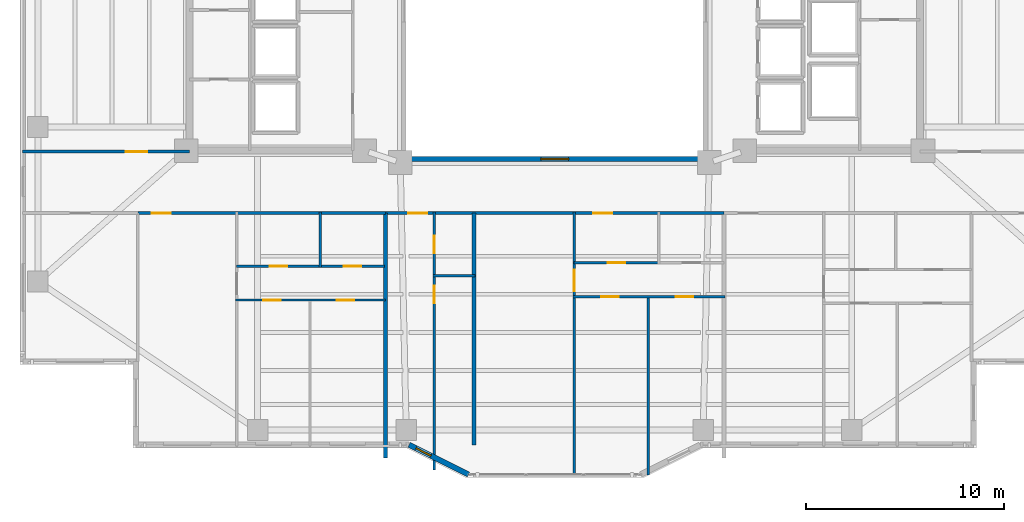
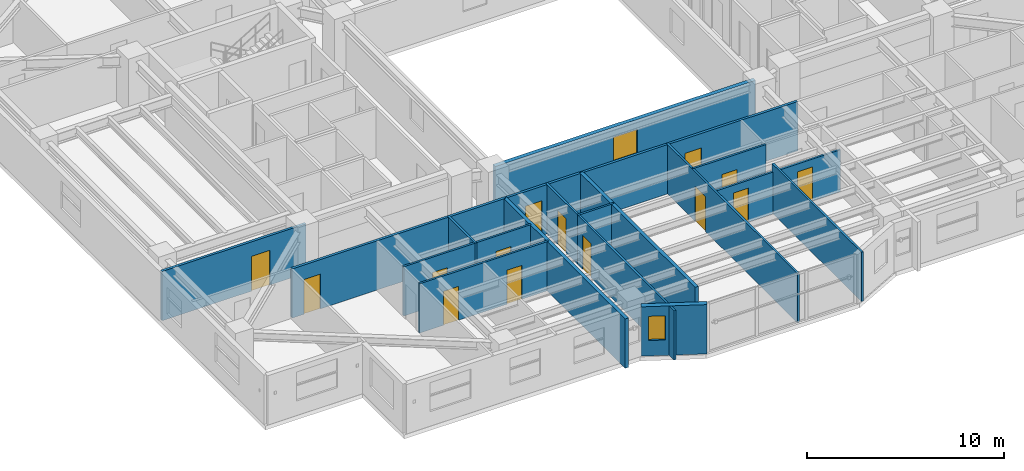
# One storey, part 6 of 18: 18 walls, 14 doors, 2 windows, 16 openings.
"""IFC4 building model written with IfcOpenShell, lengths in metres."""

from ifc_helpers import new_model, si_unit, direction, frame, frame_2d, origin, place, context, subcontext, project, spatial, rectangle, extrude, material, layer, layer_set, type_object, element, fill, save


model = new_model("IFC4")

# Units and contexts
model_context = context("Model", 3, precision=1e-05, world=origin(), true_north=direction((0.0, 1.0)))
body_context = subcontext(model_context, "Body", "Model", "MODEL_VIEW")
ifc_project = project(units=[si_unit("LENGTHUNIT", "METRE"), si_unit("AREAUNIT", "SQUARE_METRE"), si_unit("VOLUMEUNIT", "CUBIC_METRE"), si_unit("PLANEANGLEUNIT", "RADIAN"), si_unit("MASSUNIT", "GRAM", prefix="KILO")], contexts=[model_context])

# Site, building, storey
site_placement = place(None, origin())
site = spatial("IfcSite", under=ifc_project, at=site_placement, CompositionType="ELEMENT")
building_placement = place(site_placement, origin())
building = spatial("IfcBuilding", under=site, at=building_placement, Name="Tarnavaz Court Tower", CompositionType="ELEMENT")
storey_placement = place(building_placement, frame((0.0, 0.0, 115.14990234375)))
storey = spatial("IfcBuildingStorey", under=building, at=storey_placement, Name="L31", CompositionType="ELEMENT", Elevation=115.14990234375)

# Wall, opening, window
ifc_material_1 = material(Name="Precast Concrete C40/50", Category="concrete")
ifc_layer_1 = layer(ifc_material_1, 0.280029296875)
ifc_layer_set_1 = layer_set([ifc_layer_1], Name="Precast Concrete C40/50")
wall_type_1 = type_object("IfcWallType", Name="WL-EXT-280", PredefinedType="SOLIDWALL", material=ifc_layer_set_1)
wall_1_placement = place(storey_placement, frame((-4.35009765625, -23.550048828125, 0.0), z_axis=(0.0, 0.0, 1.0), x_axis=(-0.894427191, 0.4472135955, 0.0)))
wall_1 = element("IfcWall", 1, at=wall_1_placement, inside=storey, type_object=wall_type_1, Name="L31 Exterior Terracotta Facade Wall 18", PredefinedType="SOLIDWALL", context=body_context, shape_type="SweptSolid", body=[
    extrude(rectangle(XDim=3.35400390625, YDim=0.280029296875, at=frame_2d((1.677001953125, 0.0))), origin(), (0.0, 0.0, 1.0), 3.050048828125),
])
opening_1_placement = place(wall_1_placement, frame((2.12353515625, 0.0, 0.949951171875)))
opening_1 = element("IfcOpeningElement", 2, at=opening_1_placement, cuts=wall_1, Name="Opening W15", PredefinedType="OPENING", context=body_context, shape_type="SweptSolid", body=[
    extrude(rectangle(XDim=0.85009765625, YDim=1.5, at=frame_2d((0.425048828125, 0.75))), frame((0.0, 0.14990234375, 0.0), z_axis=(0.0, -1.0, 0.0), x_axis=(1.0, 0.0, 0.0)), (0.0, 0.0, 1.0), 0.300048828125),
])
ifc_material_2 = material(Name="Double-Glazed Solar Low-E Glass", Category="glass")
window_type_1 = type_object("IfcWindowType", Name="WN-APT-850", PartitioningType="SINGLE_PANEL", PredefinedType="WINDOW", material=ifc_material_2)
window_1_placement = place(opening_1_placement, origin())
window_1 = element("IfcWindow", 3, at=window_1_placement, inside=storey, type_object=window_type_1, Name="L31 Prow Cheek Bedroom Window 18", OverallHeight=1.5, OverallWidth=0.85009765625, PartitioningType="SINGLE_PANEL", PredefinedType="WINDOW", context=body_context, shape_type="SweptSolid", body=[
    extrude(rectangle(XDim=0.85009765625, YDim=1.5, at=frame_2d((0.425048828125, 0.75))), frame((0.0, 0.030029296875, 0.0), z_axis=(0.0, -1.0, 0.0), x_axis=(1.0, 0.0, 0.0)), (0.0, 0.0, 1.0), 0.06005859375),
])
fill(opening_1, window_1)

# Wall, opening, door
ifc_material_3 = material(Name="Gypsum Fire-Board on Acoustic Metal Stud", Category="masonry")
ifc_layer_2 = layer(ifc_material_3, 0.14990234375)
ifc_layer_set_2 = layer_set([ifc_layer_2], Name="Gypsum Fire-Board on Acoustic Metal Stud")
wall_type_2 = type_object("IfcWallType", Name="WL-FIRE-150", PredefinedType="PARTITIONING", material=ifc_layer_set_2)
wall_2_placement = place(storey_placement, frame((-21.050048828125, -10.35009765625, 0.0), z_axis=(0.0, 0.0, 1.0), x_axis=(1.0, 0.0, 0.0)))
wall_2 = element("IfcWall", 4, at=wall_2_placement, inside=storey, type_object=wall_type_2, Name="L31 SW Horseshoe Wall 074", PredefinedType="PARTITIONING", context=body_context, shape_type="SweptSolid", body=[
    extrude(rectangle(XDim=12.5, YDim=0.14990234375, at=frame_2d((6.25, 0.0))), origin(), (0.0, 0.0, 1.0), 3.050048828125),
])
opening_2_placement = place(wall_2_placement, frame((0.699951171875, 0.0, 0.0)))
opening_2 = element("IfcOpeningElement", 5, at=opening_2_placement, cuts=wall_2, Name="Opening D06", PredefinedType="OPENING", context=body_context, shape_type="SweptSolid", body=[
    extrude(rectangle(XDim=0.9599609375, YDim=2.14990234375, at=frame_2d((0.47998046875, 1.074951171875))), frame((0.0, 0.0849609375, 0.0), z_axis=(0.0, -1.0, 0.0), x_axis=(1.0, 0.0, 0.0)), (0.0, 0.0, 1.0), 0.169921875),
])
ifc_material_4 = material(Name="Fire-Rated Hardwood Timber Core", Category="wood")
door_type_1 = type_object("IfcDoorType", Name="DR-FD60-950", OperationType="NOTDEFINED", PredefinedType="DOOR", material=ifc_material_4)
door_1_placement = place(opening_2_placement, origin())
door_1 = element("IfcDoor", 6, at=door_1_placement, inside=storey, type_object=door_type_1, Name="L31 Flat 02 Entrance Door", OperationType="SINGLE_SWING_LEFT", OverallHeight=2.14990234375, OverallWidth=0.9599609375, PredefinedType="DOOR", context=body_context, shape_type="SweptSolid", body=[
    extrude(rectangle(XDim=0.9599609375, YDim=2.14990234375, at=frame_2d((0.47998046875, 1.074951171875))), frame((0.0, 0.02490234375, 0.0), z_axis=(0.0, -1.0, 0.0), x_axis=(1.0, 0.0, 0.0)), (0.0, 0.0, 1.0), 0.050048828125),
])
fill(opening_2, door_1)

# Wall, openings, doors
wall_3_placement = place(storey_placement, frame((-8.550048828125, -10.35009765625, 0.0), z_axis=(0.0, 0.0, 1.0), x_axis=(1.0, 0.0, 0.0)))
wall_3 = element("IfcWall", 7, at=wall_3_placement, inside=storey, type_object=wall_type_2, Name="L31 Interior Partition 101", PredefinedType="PARTITIONING", context=body_context, shape_type="SweptSolid", body=[
    extrude(rectangle(XDim=17.10009765625, YDim=0.14990234375, at=frame_2d((8.550048828125, 0.0))), origin(), (0.0, 0.0, 1.0), 3.050048828125),
])
opening_3_placement = place(wall_3_placement, frame((1.14990234375, 0.0, 0.0)))
opening_3 = element("IfcOpeningElement", 8, at=opening_3_placement, cuts=wall_3, Name="Opening D06", PredefinedType="OPENING", context=body_context, shape_type="SweptSolid", body=[
    extrude(rectangle(XDim=0.9599609375, YDim=2.14990234375, at=frame_2d((0.47998046875, 1.074951171875))), frame((0.0, 0.0849609375, 0.0), z_axis=(0.0, -1.0, 0.0), x_axis=(1.0, 0.0, 0.0)), (0.0, 0.0, 1.0), 0.169921875),
])
opening_4_placement = place(wall_3_placement, frame((10.5, 0.0, 0.0)))
opening_4 = element("IfcOpeningElement", 9, at=opening_4_placement, cuts=wall_3, Name="Opening D06", PredefinedType="OPENING", context=body_context, shape_type="SweptSolid", body=[
    extrude(rectangle(XDim=0.9599609375, YDim=2.14990234375, at=frame_2d((0.47998046875, 1.074951171875))), frame((0.0, 0.0849609375, 0.0), z_axis=(0.0, -1.0, 0.0), x_axis=(1.0, 0.0, 0.0)), (0.0, 0.0, 1.0), 0.169921875),
])
door_2_placement = place(opening_3_placement, origin())
door_2 = element("IfcDoor", 10, at=door_2_placement, inside=storey, type_object=door_type_1, Name="L31 Flat 04 Entrance Door", OperationType="SINGLE_SWING_LEFT", OverallHeight=2.14990234375, OverallWidth=0.9599609375, PredefinedType="DOOR", context=body_context, shape_type="SweptSolid", body=[
    extrude(rectangle(XDim=0.9599609375, YDim=2.14990234375, at=frame_2d((0.47998046875, 1.074951171875))), frame((0.0, 0.02490234375, 0.0), z_axis=(0.0, -1.0, 0.0), x_axis=(1.0, 0.0, 0.0)), (0.0, 0.0, 1.0), 0.050048828125),
])
fill(opening_3, door_2)
door_3_placement = place(opening_4_placement, origin())
door_3 = element("IfcDoor", 11, at=door_3_placement, inside=storey, type_object=door_type_1, Name="L31 Flat 05 Entrance Door", OperationType="SINGLE_SWING_RIGHT", OverallHeight=2.14990234375, OverallWidth=0.9599609375, PredefinedType="DOOR", context=body_context, shape_type="SweptSolid", body=[
    extrude(rectangle(XDim=0.9599609375, YDim=2.14990234375, at=frame_2d((0.47998046875, 1.074951171875))), frame((0.0, 0.02490234375, 0.0), z_axis=(0.0, -1.0, 0.0), x_axis=(1.0, 0.0, 0.0)), (0.0, 0.0, 1.0), 0.050048828125),
])
fill(opening_4, door_3)

# Wall, opening, door
wall_4_placement = place(storey_placement, frame((-26.8798828125, -7.25, 0.0), z_axis=(0.0, 0.0, 1.0), x_axis=(1.0, 0.0, 0.0)))
wall_4 = element("IfcWall", 12, at=wall_4_placement, inside=storey, type_object=wall_type_2, Name="L31 Interior Partition 112", PredefinedType="PARTITIONING", context=body_context, shape_type="SweptSolid", body=[
    extrude(rectangle(XDim=8.429931640625, YDim=0.14990234375, at=frame_2d((4.21484375, 0.0))), origin(), (0.0, 0.0, 1.0), 3.050048828125),
])
opening_5_placement = place(wall_4_placement, frame((5.22998046875, 0.0, 0.0)))
opening_5 = element("IfcOpeningElement", 13, at=opening_5_placement, cuts=wall_4, Name="Opening D12", PredefinedType="OPENING", context=body_context, shape_type="SweptSolid", body=[
    extrude(rectangle(XDim=1.080078125, YDim=2.14990234375, at=frame_2d((0.5400390625, 1.074951171875))), frame((0.0, 0.0849609375, 0.0), z_axis=(0.0, -1.0, 0.0), x_axis=(1.0, 0.0, 0.0)), (0.0, 0.0, 1.0), 0.169921875),
])
ifc_material_5 = material(Name="Engineered Oak Timber", Category="wood")
door_type_2 = type_object("IfcDoorType", Name="DR-INT-1100", OperationType="NOTDEFINED", PredefinedType="DOOR", material=ifc_material_5)
door_4_placement = place(opening_5_placement, origin())
door_4 = element("IfcDoor", 14, at=door_4_placement, inside=storey, type_object=door_type_2, Name="L31 West Study Gallery Door", OperationType="SINGLE_SWING_RIGHT", OverallHeight=2.14990234375, OverallWidth=1.080078125, PredefinedType="DOOR", context=body_context, shape_type="SweptSolid", body=[
    extrude(rectangle(XDim=1.080078125, YDim=2.14990234375, at=frame_2d((0.5400390625, 1.074951171875))), frame((0.0, 0.02490234375, 0.0), z_axis=(0.0, -1.0, 0.0), x_axis=(1.0, 0.0, 0.0)), (0.0, 0.0, 1.0), 0.050048828125),
])
fill(opening_5, door_4)

# Walls
ifc_material_6 = material(Name="Autoclaved Aerated Concrete Blockwork", Category="masonry")
ifc_layer_3 = layer(ifc_material_6, 0.199951171875)
ifc_layer_set_3 = layer_set([ifc_layer_3], Name="Autoclaved Aerated Concrete Blockwork")
wall_type_3 = type_object("IfcWallType", Name="WL-FIRE-200", PredefinedType="SOLIDWALL", material=ifc_layer_set_3)
wall_5_placement = place(storey_placement, frame((-8.550048828125, -22.7041015625, 0.0), z_axis=(0.0, 0.0, 1.0), x_axis=(0.0, 1.0, 0.0)))
element("IfcWall", 15, at=wall_5_placement, inside=storey, type_object=wall_type_3, Name="L31 Party Wall 099", PredefinedType="SOLIDWALL", context=body_context, shape_type="SweptSolid", body=[
    extrude(rectangle(XDim=12.35400390625, YDim=0.199951171875, at=frame_2d((6.177001953125, 0.0))), origin(), (0.0, 0.0, 1.0), 3.050048828125),
])
wall_6_placement = place(storey_placement, frame((-4.080078125, -22.050048828125, 0.0), z_axis=(0.0, 0.0, 1.0), x_axis=(0.0, 1.0, 0.0)))
element("IfcWall", 16, at=wall_6_placement, inside=storey, type_object=wall_type_3, Name="L31 Party Wall 102", PredefinedType="SOLIDWALL", context=body_context, shape_type="SweptSolid", body=[
    extrude(rectangle(XDim=11.699951171875, YDim=0.199951171875, at=frame_2d((5.85009765625, 0.0))), origin(), (0.0, 0.0, 1.0), 3.050048828125),
])

# Wall, opening, door
ifc_material_7 = material(Name="Moisture-Resistant Gypsum Board Partition", Category="masonry")
ifc_layer_4 = layer(ifc_material_7, 0.1201171875)
ifc_layer_set_4 = layer_set([ifc_layer_4], Name="Moisture-Resistant Gypsum Board Partition")
wall_type_4 = type_object("IfcWallType", Name="WL-PART-120", PredefinedType="PARTITIONING", material=ifc_layer_set_4)
wall_7_placement = place(storey_placement, frame((-16.05810546875, -13.030029296875, 0.0), z_axis=(0.0, 0.0, 1.0), x_axis=(1.0, 0.0, 0.0)))
wall_7 = element("IfcWall", 17, at=wall_7_placement, inside=storey, type_object=wall_type_4, Name="L31 Interior Partition 088", PredefinedType="PARTITIONING", context=body_context, shape_type="SweptSolid", body=[
    extrude(rectangle(XDim=4.217041015625, YDim=0.1201171875, at=frame_2d((2.1083984375, 0.0))), origin(), (0.0, 0.0, 1.0), 3.050048828125),
])
opening_6_placement = place(wall_7_placement, frame((1.6689453125, 0.0, 0.0)))
opening_6 = element("IfcOpeningElement", 18, at=opening_6_placement, cuts=wall_7, Name="Opening D14", PredefinedType="OPENING", context=body_context, shape_type="SweptSolid", body=[
    extrude(rectangle(XDim=0.8798828125, YDim=2.10009765625, at=frame_2d((0.43994140625, 1.050048828125))), frame((0.0, 0.070068359375, 0.0), z_axis=(0.0, -1.0, 0.0), x_axis=(1.0, 0.0, 0.0)), (0.0, 0.0, 1.0), 0.14013671875),
])
door_type_3 = type_object("IfcDoorType", Name="DR-INT-900", OperationType="NOTDEFINED", PredefinedType="DOOR", material=ifc_material_5)
door_5_placement = place(opening_6_placement, origin())
door_5 = element("IfcDoor", 19, at=door_5_placement, inside=storey, type_object=door_type_3, Name="L31 Flat 02 Kitchen Door", OperationType="SINGLE_SWING_LEFT", OverallHeight=2.10009765625, OverallWidth=0.8798828125, PredefinedType="DOOR", context=body_context, shape_type="SweptSolid", body=[
    extrude(rectangle(XDim=0.8798828125, YDim=2.10009765625, at=frame_2d((0.43994140625, 1.050048828125))), frame((0.0, 0.02490234375, 0.0), z_axis=(0.0, -1.0, 0.0), x_axis=(1.0, 0.0, 0.0)), (0.0, 0.0, 1.0), 0.050048828125),
])
fill(opening_6, door_5)

wall_8_placement = place(storey_placement, frame((-11.841064453125, -13.030029296875, 0.0), z_axis=(0.0, 0.0, 1.0), x_axis=(1.0, 0.0, 0.0)))
wall_8 = element("IfcWall", 20, at=wall_8_placement, inside=storey, type_object=wall_type_4, Name="L31 Interior Partition 089", PredefinedType="PARTITIONING", context=body_context, shape_type="SweptSolid", body=[
    extrude(rectangle(XDim=3.240966796875, YDim=0.1201171875, at=frame_2d((1.62060546875, 0.0))), origin(), (0.0, 0.0, 1.0), 3.050048828125),
])
opening_7_placement = place(wall_8_placement, frame((1.179931640625, 0.0, 0.0)))
opening_7 = element("IfcOpeningElement", 21, at=opening_7_placement, cuts=wall_8, Name="Opening D14", PredefinedType="OPENING", context=body_context, shape_type="SweptSolid", body=[
    extrude(rectangle(XDim=0.8798828125, YDim=2.10009765625, at=frame_2d((0.43994140625, 1.050048828125))), frame((0.0, 0.070068359375, 0.0), z_axis=(0.0, -1.0, 0.0), x_axis=(1.0, 0.0, 0.0)), (0.0, 0.0, 1.0), 0.14013671875),
])
door_6_placement = place(opening_7_placement, origin())
door_6 = element("IfcDoor", 22, at=door_6_placement, inside=storey, type_object=door_type_3, Name="L31 Flat 02 Bathroom Door", OperationType="SINGLE_SWING_RIGHT", OverallHeight=2.10009765625, OverallWidth=0.8798828125, PredefinedType="DOOR", context=body_context, shape_type="SweptSolid", body=[
    extrude(rectangle(XDim=0.8798828125, YDim=2.10009765625, at=frame_2d((0.43994140625, 1.050048828125))), frame((0.0, 0.02490234375, 0.0), z_axis=(0.0, -1.0, 0.0), x_axis=(1.0, 0.0, 0.0)), (0.0, 0.0, 1.0), 0.050048828125),
])
fill(opening_7, door_6)

# Wall, openings, doors
wall_9_placement = place(storey_placement, frame((-16.117919921875, -14.739990234375, 0.0), z_axis=(0.0, 0.0, 1.0), x_axis=(1.0, 0.0, 0.0)))
wall_9 = element("IfcWall", 23, at=wall_9_placement, inside=storey, type_object=wall_type_4, Name="L31 Interior Partition 090", PredefinedType="PARTITIONING", context=body_context, shape_type="SweptSolid", body=[
    extrude(rectangle(XDim=7.577880859375, YDim=0.1201171875, at=frame_2d((3.7890625, 0.0))), origin(), (0.0, 0.0, 1.0), 3.050048828125),
])
opening_8_placement = place(wall_9_placement, frame((1.408935546875, 0.0, 0.0)))
opening_8 = element("IfcOpeningElement", 24, at=opening_8_placement, cuts=wall_9, Name="Opening D14", PredefinedType="OPENING", context=body_context, shape_type="SweptSolid", body=[
    extrude(rectangle(XDim=0.8798828125, YDim=2.10009765625, at=frame_2d((0.43994140625, 1.050048828125))), frame((0.0, 0.070068359375, 0.0), z_axis=(0.0, -1.0, 0.0), x_axis=(1.0, 0.0, 0.0)), (0.0, 0.0, 1.0), 0.14013671875),
])
opening_9_placement = place(wall_9_placement, frame((5.10791015625, 0.0, 0.0)))
opening_9 = element("IfcOpeningElement", 25, at=opening_9_placement, cuts=wall_9, Name="Opening D14", PredefinedType="OPENING", context=body_context, shape_type="SweptSolid", body=[
    extrude(rectangle(XDim=0.8798828125, YDim=2.10009765625, at=frame_2d((0.43994140625, 1.050048828125))), frame((0.0, 0.070068359375, 0.0), z_axis=(0.0, -1.0, 0.0), x_axis=(1.0, 0.0, 0.0)), (0.0, 0.0, 1.0), 0.14013671875),
])
door_7_placement = place(opening_8_placement, origin())
door_7 = element("IfcDoor", 26, at=door_7_placement, inside=storey, type_object=door_type_3, Name="L31 Flat 02 Bedroom 1 Door", OperationType="SINGLE_SWING_LEFT", OverallHeight=2.10009765625, OverallWidth=0.8798828125, PredefinedType="DOOR", context=body_context, shape_type="SweptSolid", body=[
    extrude(rectangle(XDim=0.8798828125, YDim=2.10009765625, at=frame_2d((0.43994140625, 1.050048828125))), frame((0.0, 0.02490234375, 0.0), z_axis=(0.0, -1.0, 0.0), x_axis=(1.0, 0.0, 0.0)), (0.0, 0.0, 1.0), 0.050048828125),
])
fill(opening_8, door_7)
door_8_placement = place(opening_9_placement, origin())
door_8 = element("IfcDoor", 27, at=door_8_placement, inside=storey, type_object=door_type_3, Name="L31 Flat 02 Bedroom 2 Door", OperationType="SINGLE_SWING_RIGHT", OverallHeight=2.10009765625, OverallWidth=0.8798828125, PredefinedType="DOOR", context=body_context, shape_type="SweptSolid", body=[
    extrude(rectangle(XDim=0.8798828125, YDim=2.10009765625, at=frame_2d((0.43994140625, 1.050048828125))), frame((0.0, 0.02490234375, 0.0), z_axis=(0.0, -1.0, 0.0), x_axis=(1.0, 0.0, 0.0)), (0.0, 0.0, 1.0), 0.050048828125),
])
fill(opening_9, door_8)

# Wall
wall_10_placement = place(storey_placement, frame((-11.841064453125, -13.090087890625, 0.0), z_axis=(0.0, 0.0, 1.0), x_axis=(0.0, 1.0, 0.0)))
element("IfcWall", 28, at=wall_10_placement, inside=storey, type_object=wall_type_4, Name="L31 Interior Partition 091", PredefinedType="PARTITIONING", context=body_context, shape_type="SweptSolid", body=[
    extrude(rectangle(XDim=2.800048828125, YDim=0.1201171875, at=frame_2d((1.39990234375, 0.0))), origin(), (0.0, 0.0, 1.0), 3.050048828125),
])

# Wall, opening, door
wall_11_placement = place(storey_placement, frame((-6.080078125, -23.31396484375, 0.0), z_axis=(0.0, 0.0, 1.0), x_axis=(0.0, 1.0, 0.0)))
wall_11 = element("IfcWall", 29, at=wall_11_placement, inside=storey, type_object=wall_type_4, Name="L31 Interior Partition 103", PredefinedType="PARTITIONING", context=body_context, shape_type="SweptSolid", body=[
    extrude(rectangle(XDim=9.803955078125, YDim=0.1201171875, at=frame_2d((4.90185546875, 0.0))), origin(), (0.0, 0.0, 1.0), 3.050048828125),
])
opening_10_placement = place(wall_11_placement, frame((8.404052734375, 0.0, 0.0)))
opening_10 = element("IfcOpeningElement", 30, at=opening_10_placement, cuts=wall_11, Name="Opening D14", PredefinedType="OPENING", context=body_context, shape_type="SweptSolid", body=[
    extrude(rectangle(XDim=0.8798828125, YDim=2.10009765625, at=frame_2d((0.43994140625, 1.050048828125))), frame((0.0, 0.070068359375, 0.0), z_axis=(0.0, -1.0, 0.0), x_axis=(1.0, 0.0, 0.0)), (0.0, 0.0, 1.0), 0.14013671875),
])
door_9_placement = place(opening_10_placement, origin())
door_9 = element("IfcDoor", 31, at=door_9_placement, inside=storey, type_object=door_type_3, Name="L31 Flat 04 Kitchen Door", OperationType="SINGLE_SWING_RIGHT", OverallHeight=2.10009765625, OverallWidth=0.8798828125, PredefinedType="DOOR", context=body_context, shape_type="SweptSolid", body=[
    extrude(rectangle(XDim=0.8798828125, YDim=2.10009765625, at=frame_2d((0.43994140625, 1.050048828125))), frame((0.0, 0.02490234375, 0.0), z_axis=(0.0, -1.0, 0.0), x_axis=(1.0, 0.0, 0.0)), (0.0, 0.0, 1.0), 0.050048828125),
])
fill(opening_10, door_9)

wall_12_placement = place(storey_placement, frame((-6.080078125, -13.510009765625, 0.0), z_axis=(0.0, 0.0, 1.0), x_axis=(0.0, 1.0, 0.0)))
wall_12 = element("IfcWall", 32, at=wall_12_placement, inside=storey, type_object=wall_type_4, Name="L31 Interior Partition 104", PredefinedType="PARTITIONING", context=body_context, shape_type="SweptSolid", body=[
    extrude(rectangle(XDim=3.219970703125, YDim=0.1201171875, at=frame_2d((1.60986328125, 0.0))), origin(), (0.0, 0.0, 1.0), 3.050048828125),
])
opening_11_placement = place(wall_12_placement, frame((1.139892578125, 0.0, 0.0)))
opening_11 = element("IfcOpeningElement", 33, at=opening_11_placement, cuts=wall_12, Name="Opening D14", PredefinedType="OPENING", context=body_context, shape_type="SweptSolid", body=[
    extrude(rectangle(XDim=0.8798828125, YDim=2.10009765625, at=frame_2d((0.43994140625, 1.050048828125))), frame((0.0, 0.070068359375, 0.0), z_axis=(0.0, -1.0, 0.0), x_axis=(1.0, 0.0, 0.0)), (0.0, 0.0, 1.0), 0.14013671875),
])
door_10_placement = place(opening_11_placement, origin())
door_10 = element("IfcDoor", 34, at=door_10_placement, inside=storey, type_object=door_type_3, Name="L31 Flat 04 Bathroom Door", OperationType="SINGLE_SWING_LEFT", OverallHeight=2.10009765625, OverallWidth=0.8798828125, PredefinedType="DOOR", context=body_context, shape_type="SweptSolid", body=[
    extrude(rectangle(XDim=0.8798828125, YDim=2.10009765625, at=frame_2d((0.43994140625, 1.050048828125))), frame((0.0, 0.02490234375, 0.0), z_axis=(0.0, -1.0, 0.0), x_axis=(1.0, 0.0, 0.0)), (0.0, 0.0, 1.0), 0.050048828125),
])
fill(opening_11, door_10)

# Wall
wall_13_placement = place(storey_placement, frame((-6.139892578125, -13.510009765625, 0.0), z_axis=(0.0, 0.0, 1.0), x_axis=(1.0, 0.0, 0.0)))
element("IfcWall", 35, at=wall_13_placement, inside=storey, type_object=wall_type_4, Name="L31 Interior Partition 105", PredefinedType="PARTITIONING", context=body_context, shape_type="SweptSolid", body=[
    extrude(rectangle(XDim=2.119873046875, YDim=0.1201171875, at=frame_2d((1.06005859375, 0.0))), origin(), (0.0, 0.0, 1.0), 3.050048828125),
])

# Wall, opening, door
wall_14_placement = place(storey_placement, frame((0.97998046875, -23.580078125, 0.0), z_axis=(0.0, 0.0, 1.0), x_axis=(0.0, 1.0, 0.0)))
wall_14 = element("IfcWall", 36, at=wall_14_placement, inside=storey, type_object=wall_type_4, Name="L31 Interior Partition 106", PredefinedType="PARTITIONING", context=body_context, shape_type="SweptSolid", body=[
    extrude(rectangle(XDim=13.2900390625, YDim=0.1201171875, at=frame_2d((6.64501953125, 0.0))), origin(), (0.0, 0.0, 1.0), 3.050048828125),
])
opening_12_placement = place(wall_14_placement, frame((9.294921875, 0.0, 0.0)))
opening_12 = element("IfcOpeningElement", 37, at=opening_12_placement, cuts=wall_14, Name="Opening D12", PredefinedType="OPENING", context=body_context, shape_type="SweptSolid", body=[
    extrude(rectangle(XDim=1.080078125, YDim=2.14990234375, at=frame_2d((0.5400390625, 1.074951171875))), frame((0.0, 0.070068359375, 0.0), z_axis=(0.0, -1.0, 0.0), x_axis=(1.0, 0.0, 0.0)), (0.0, 0.0, 1.0), 0.14013671875),
])
door_11_placement = place(opening_12_placement, origin())
door_11 = element("IfcDoor", 38, at=door_11_placement, inside=storey, type_object=door_type_2, Name="L31 Flat 05 Foyer Door", OperationType="SINGLE_SWING_LEFT", OverallHeight=2.14990234375, OverallWidth=1.080078125, PredefinedType="DOOR", context=body_context, shape_type="SweptSolid", body=[
    extrude(rectangle(XDim=1.080078125, YDim=2.14990234375, at=frame_2d((0.5400390625, 1.074951171875))), frame((0.0, 0.02490234375, 0.0), z_axis=(0.0, -1.0, 0.0), x_axis=(1.0, 0.0, 0.0)), (0.0, 0.0, 1.0), 0.050048828125),
])
fill(opening_12, door_11)

wall_15_placement = place(storey_placement, frame((0.97998046875, -12.860107421875, 0.0), z_axis=(0.0, 0.0, 1.0), x_axis=(1.0, 0.0, 0.0)))
wall_15 = element("IfcWall", 39, at=wall_15_placement, inside=storey, type_object=wall_type_4, Name="L31 Interior Partition 107", PredefinedType="PARTITIONING", context=body_context, shape_type="SweptSolid", body=[
    extrude(rectangle(XDim=4.27490234375, YDim=0.1201171875, at=frame_2d((2.137451171875, 0.0))), origin(), (0.0, 0.0, 1.0), 3.050048828125),
])
opening_13_placement = place(wall_15_placement, frame((1.697998046875, 0.0, 0.0)))
opening_13 = element("IfcOpeningElement", 40, at=opening_13_placement, cuts=wall_15, Name="Opening D14", PredefinedType="OPENING", context=body_context, shape_type="SweptSolid", body=[
    extrude(rectangle(XDim=0.8798828125, YDim=2.10009765625, at=frame_2d((0.43994140625, 1.050048828125))), frame((0.0, 0.070068359375, 0.0), z_axis=(0.0, -1.0, 0.0), x_axis=(1.0, 0.0, 0.0)), (0.0, 0.0, 1.0), 0.14013671875),
])
door_12_placement = place(opening_13_placement, origin())
door_12 = element("IfcDoor", 41, at=door_12_placement, inside=storey, type_object=door_type_3, Name="L31 Flat 05 Kitchen Door", OperationType="SINGLE_SWING_RIGHT", OverallHeight=2.10009765625, OverallWidth=0.8798828125, PredefinedType="DOOR", context=body_context, shape_type="SweptSolid", body=[
    extrude(rectangle(XDim=0.8798828125, YDim=2.10009765625, at=frame_2d((0.43994140625, 1.050048828125))), frame((0.0, 0.02490234375, 0.0), z_axis=(0.0, -1.0, 0.0), x_axis=(1.0, 0.0, 0.0)), (0.0, 0.0, 1.0), 0.050048828125),
])
fill(opening_13, door_12)

# Wall, openings, doors
wall_16_placement = place(storey_placement, frame((0.919921875, -14.570068359375, 0.0), z_axis=(0.0, 0.0, 1.0), x_axis=(1.0, 0.0, 0.0)))
wall_16 = element("IfcWall", 42, at=wall_16_placement, inside=storey, type_object=wall_type_4, Name="L31 Interior Partition 109", PredefinedType="PARTITIONING", context=body_context, shape_type="SweptSolid", body=[
    extrude(rectangle(XDim=7.690185546875, YDim=0.1201171875, at=frame_2d((3.84521484375, 0.0))), origin(), (0.0, 0.0, 1.0), 2.585205078125),
])
opening_14_placement = place(wall_16_placement, frame((1.43505859375, 0.0, 0.0)))
opening_14 = element("IfcOpeningElement", 43, at=opening_14_placement, cuts=wall_16, Name="Opening D14", PredefinedType="OPENING", context=body_context, shape_type="SweptSolid", body=[
    extrude(rectangle(XDim=0.8798828125, YDim=2.10009765625, at=frame_2d((0.43994140625, 1.050048828125))), frame((0.0, 0.070068359375, 0.0), z_axis=(0.0, -1.0, 0.0), x_axis=(1.0, 0.0, 0.0)), (0.0, 0.0, 1.0), 0.14013671875),
])
opening_15_placement = place(wall_16_placement, frame((5.18505859375, 0.0, 0.0)))
opening_15 = element("IfcOpeningElement", 44, at=opening_15_placement, cuts=wall_16, Name="Opening D14", PredefinedType="OPENING", context=body_context, shape_type="SweptSolid", body=[
    extrude(rectangle(XDim=0.8798828125, YDim=2.10009765625, at=frame_2d((0.43994140625, 1.050048828125))), frame((0.0, 0.070068359375, 0.0), z_axis=(0.0, -1.0, 0.0), x_axis=(1.0, 0.0, 0.0)), (0.0, 0.0, 1.0), 0.14013671875),
])
door_13_placement = place(opening_14_placement, origin())
door_13 = element("IfcDoor", 45, at=door_13_placement, inside=storey, type_object=door_type_3, Name="L31 Flat 05 Bedroom 1 Door", OperationType="SINGLE_SWING_RIGHT", OverallHeight=2.10009765625, OverallWidth=0.8798828125, PredefinedType="DOOR", context=body_context, shape_type="SweptSolid", body=[
    extrude(rectangle(XDim=0.8798828125, YDim=2.10009765625, at=frame_2d((0.43994140625, 1.050048828125))), frame((0.0, 0.02490234375, 0.0), z_axis=(0.0, -1.0, 0.0), x_axis=(1.0, 0.0, 0.0)), (0.0, 0.0, 1.0), 0.050048828125),
])
fill(opening_14, door_13)
door_14_placement = place(opening_15_placement, origin())
door_14 = element("IfcDoor", 46, at=door_14_placement, inside=storey, type_object=door_type_3, Name="L31 Flat 05 Bedroom 2 Door", OperationType="SINGLE_SWING_LEFT", OverallHeight=2.10009765625, OverallWidth=0.8798828125, PredefinedType="DOOR", context=body_context, shape_type="SweptSolid", body=[
    extrude(rectangle(XDim=0.8798828125, YDim=2.10009765625, at=frame_2d((0.43994140625, 1.050048828125))), frame((0.0, 0.02490234375, 0.0), z_axis=(0.0, -1.0, 0.0), x_axis=(1.0, 0.0, 0.0)), (0.0, 0.0, 1.0), 0.050048828125),
])
fill(opening_15, door_14)

# Wall
wall_17_placement = place(storey_placement, frame((4.72998046875, -23.580078125, 0.0), z_axis=(0.0, 0.0, 1.0), x_axis=(0.0, 1.0, 0.0)))
element("IfcWall", 47, at=wall_17_placement, inside=storey, type_object=wall_type_4, Name="L31 Interior Partition 111", PredefinedType="PARTITIONING", context=body_context, shape_type="SweptSolid", body=[
    extrude(rectangle(XDim=9.070068359375, YDim=0.1201171875, at=frame_2d((4.53515625, 0.0))), origin(), (0.0, 0.0, 1.0), 3.050048828125),
])

# Wall, opening, window
ifc_layer_5 = layer(ifc_material_1, 0.239990234375)
ifc_layer_set_5 = layer_set([ifc_layer_5], Name="Precast Concrete C40/50")
wall_type_5 = type_object("IfcWallType", Name="WL-WELL-240", PredefinedType="SOLIDWALL", material=ifc_layer_set_5)
wall_18_placement = place(storey_placement, frame((-7.6201171875, -7.6201171875, 0.0), z_axis=(0.0, 0.0, 1.0), x_axis=(1.0, 0.0, 0.0)))
wall_18 = element("IfcWall", 48, at=wall_18_placement, inside=storey, type_object=wall_type_5, Name="L31 Badgir Light-Well Exterior Wall S", PredefinedType="SOLIDWALL", context=body_context, shape_type="SweptSolid", body=[
    extrude(rectangle(XDim=15.240234375, YDim=0.239990234375, at=frame_2d((7.6201171875, 0.0))), origin(), (0.0, 0.0, 1.0), 3.050048828125),
])
opening_16_placement = place(wall_18_placement, frame((6.919921875, 0.0, 0.949951171875)))
opening_16 = element("IfcOpeningElement", 49, at=opening_16_placement, cuts=wall_18, Name="Opening W13", PredefinedType="OPENING", context=body_context, shape_type="SweptSolid", body=[
    extrude(rectangle(XDim=1.39990234375, YDim=1.5, at=frame_2d((0.699951171875, 0.75))), frame((0.0, 0.1298828125, 0.0), z_axis=(0.0, -1.0, 0.0), x_axis=(1.0, 0.0, 0.0)), (0.0, 0.0, 1.0), 0.260009765625),
])
window_type_2 = type_object("IfcWindowType", Name="WN-WEL-1400", PartitioningType="SINGLE_PANEL", PredefinedType="WINDOW", material=ifc_material_2)
window_2_placement = place(opening_16_placement, origin())
window_2 = element("IfcWindow", 50, at=window_2_placement, inside=storey, type_object=window_type_2, Name="L31 Courtyard Gallery Window S", OverallHeight=1.5, OverallWidth=1.39990234375, PartitioningType="SINGLE_PANEL", PredefinedType="WINDOW", context=body_context, shape_type="SweptSolid", body=[
    extrude(rectangle(XDim=1.39990234375, YDim=1.5, at=frame_2d((0.699951171875, 0.75))), frame((0.0, 0.030029296875, 0.0), z_axis=(0.0, -1.0, 0.0), x_axis=(1.0, 0.0, 0.0)), (0.0, 0.0, 1.0), 0.06005859375),
])
fill(opening_16, window_2)

save(model, "model.ifc")
